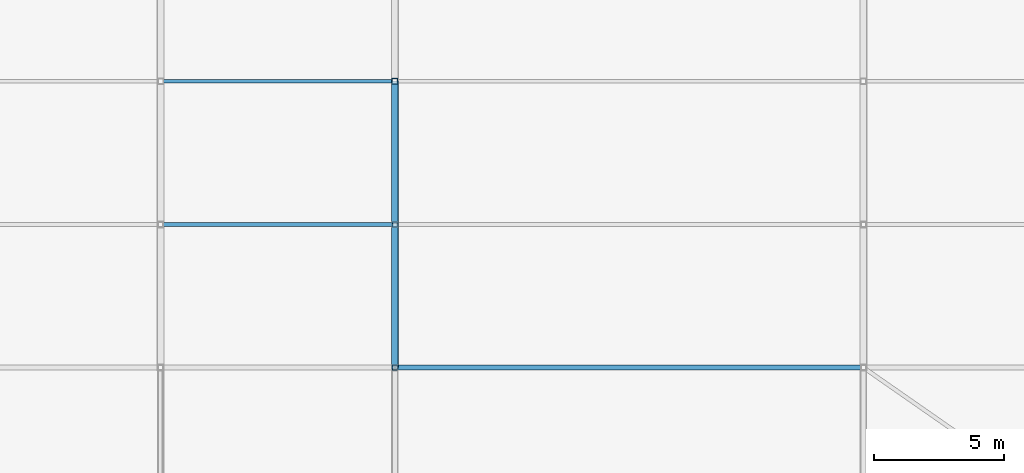
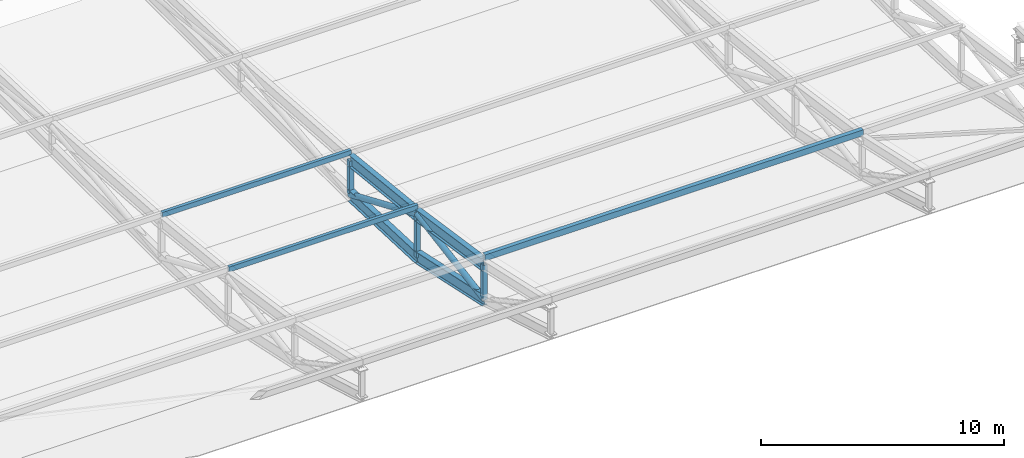
# One storey, part 60 of 114: 8 members, 4 beams.
"""IFC4 building model written with IfcOpenShell, lengths in metres."""

from ifc_helpers import new_model, si_unit, direction, frame, origin, origin_2d, place, context, subcontext, project, spatial, hollow_rectangle, hollow_circle, i_section, extrude, material, material_profile, profile_set, type_object, element, save


model = new_model("IFC4")

# Units and contexts
model_context = context("Model", 3, precision=1e-05, world=origin(), true_north=direction((0.0, 1.0)))
body_context = subcontext(model_context, "Body", "Model", "MODEL_VIEW")
ifc_project = project(units=[si_unit("LENGTHUNIT", "METRE"), si_unit("AREAUNIT", "SQUARE_METRE"), si_unit("VOLUMEUNIT", "CUBIC_METRE"), si_unit("PLANEANGLEUNIT", "RADIAN"), si_unit("MASSUNIT", "GRAM", prefix="KILO"), si_unit("THERMODYNAMICTEMPERATUREUNIT", "KELVIN"), si_unit("POWERUNIT", "WATT")], contexts=[model_context])

# Site, building, storey
site_placement = place(None, origin())
site = spatial("IfcSite", under=ifc_project, at=site_placement, CompositionType="ELEMENT")
building_placement = place(site_placement, origin())
building = spatial("IfcBuilding", under=site, at=building_placement, Name="Sindhuravela Promenade Stadium", CompositionType="ELEMENT")
storey_placement = place(building_placement, frame((0.0, 0.0, 24.0)))
storey = spatial("IfcBuildingStorey", under=building, at=storey_placement, Name="L05", CompositionType="ELEMENT", Elevation=24.0)

# Beams
ifc_material = material(Name="Steel E350 (IS 2062 E350BR)", Category="steel")
ifc_material_profile_1 = material_profile(ifc_material, i_section(OverallWidth=0.25, OverallDepth=0.60009765625, WebThickness=0.01171875, FlangeThickness=0.023681640625, FilletRadius=0.01708984375, at=origin_2d()), Name="ISWB 600")
ifc_profile_set_1 = profile_set([ifc_material_profile_1], Name="Steel E350 (IS 2062 E350BR)")
beam_type = type_object("IfcBeamType", Name="ST-BM-WB600", PredefinedType="USERDEFINED", material=ifc_profile_set_1)
beam_1_placement = place(storey_placement, frame((135.0, 135.0, 1.76318359375), z_axis=(0.0, -0.9943078180575428, 0.1065455909441987), x_axis=(1.0, 0.0, 0.0)))
element("IfcBeam", 1, at=beam_1_placement, inside=storey, type_object=beam_type, Name="Roof truss RT-N07 top chord 3", ObjectType="ROOF TRUSS", PredefinedType="USERDEFINED", context=body_context, shape_type="SweptSolid", body=[
    extrude(i_section(OverallWidth=0.25, OverallDepth=0.60009765625, WebThickness=0.01171875, FlangeThickness=0.023681640625, FilletRadius=0.01708984375, at=origin_2d()), origin(), (0.0, 0.0, 1.0), 5.531494140625),
])
beam_2_placement = place(storey_placement, frame((135.0, 135.0, 0.0), z_axis=(0.0, -0.9991453279387894, 0.04133538022189949), x_axis=(1.0, 0.0, 0.0)))
element("IfcBeam", 2, at=beam_2_placement, inside=storey, type_object=beam_type, Name="Roof truss RT-N07 bottom chord 3", ObjectType="ROOF TRUSS", PredefinedType="USERDEFINED", context=body_context, shape_type="SweptSolid", body=[
    extrude(i_section(OverallWidth=0.25, OverallDepth=0.60009765625, WebThickness=0.01171875, FlangeThickness=0.023681640625, FilletRadius=0.01708984375, at=origin_2d()), origin(), (0.0, 0.0, 1.0), 5.504638671875),
])
beam_3_placement = place(storey_placement, frame((135.0, 129.5, 2.3525390625), z_axis=(0.0, -0.9891555530237203, 0.14687168523012892), x_axis=(1.0, 0.0, 0.0)))
element("IfcBeam", 3, at=beam_3_placement, inside=storey, type_object=beam_type, Name="Roof truss RT-N07 top chord 4", ObjectType="ROOF TRUSS", PredefinedType="USERDEFINED", context=body_context, shape_type="SweptSolid", body=[
    extrude(i_section(OverallWidth=0.25, OverallDepth=0.60009765625, WebThickness=0.01171875, FlangeThickness=0.023681640625, FilletRadius=0.01708984375, at=origin_2d()), origin(), (0.0, 0.0, 1.0), 5.560302734375),
])
beam_4_placement = place(storey_placement, frame((135.0, 129.5, 0.2275390625), z_axis=(0.0, -0.9773237385626684, 0.21175058451368894), x_axis=(1.0, 0.0, 0.0)))
element("IfcBeam", 4, at=beam_4_placement, inside=storey, type_object=beam_type, Name="Roof truss RT-N07 bottom chord 4", ObjectType="ROOF TRUSS", PredefinedType="USERDEFINED", context=body_context, shape_type="SweptSolid", body=[
    extrude(i_section(OverallWidth=0.25, OverallDepth=0.60009765625, WebThickness=0.01171875, FlangeThickness=0.023681640625, FilletRadius=0.01708984375, at=origin_2d()), origin(), (0.0, 0.0, 1.0), 5.627685546875),
])

# Members
ifc_material_profile_2 = material_profile(ifc_material, hollow_circle(Radius=0.136474609375, WallThickness=0.010009765625, at=origin_2d()), Name="CHS 273.0x10")
ifc_profile_set_2 = profile_set([ifc_material_profile_2], Name="Steel E350 (IS 2062 E350BR)")
member_type_1 = type_object("IfcMemberType", Name="ST-MB-CHS273", PredefinedType="BRACE", material=ifc_profile_set_2)
member_1_placement = place(storey_placement, frame((135.0, 135.0, 0.0), z_axis=(0.0, -0.9194234507496676, 0.3932690150667524), x_axis=(1.0, 0.0, 0.0)))
element("IfcMember", 5, at=member_1_placement, inside=storey, type_object=member_type_1, Name="Roof truss RT-N07 diagonal web 3", PredefinedType="BRACE", context=body_context, shape_type="SweptSolid", body=[
    extrude(hollow_circle(Radius=0.136474609375, WallThickness=0.010009765625, at=origin_2d()), origin(), (0.0, 0.0, 1.0), 5.98193359375),
])
member_2_placement = place(storey_placement, frame((135.0, 129.5, 2.3525390625), z_axis=(0.0, -0.9859046851385784, -0.1673079550463772), x_axis=(1.0, 0.0, 0.0)))
element("IfcMember", 6, at=member_2_placement, inside=storey, type_object=member_type_1, Name="Roof truss RT-N07 diagonal web 4", PredefinedType="BRACE", context=body_context, shape_type="SweptSolid", body=[
    extrude(hollow_circle(Radius=0.136474609375, WallThickness=0.010009765625, at=origin_2d()), origin(), (0.0, 0.0, 1.0), 5.57861328125),
])
ifc_material_profile_3 = material_profile(ifc_material, hollow_rectangle(XDim=0.14990234375, YDim=0.25, WallThickness=0.010009765625, at=origin_2d()), Name="RHS 250x150x10")
ifc_profile_set_3 = profile_set([ifc_material_profile_3], Name="Steel E350 (IS 2062 E350BR)")
member_type_2 = type_object("IfcMemberType", Name="ST-MB-RHS250", PredefinedType="PURLIN", material=ifc_profile_set_3)
for number, where, z_axis, x_axis, name in (
    (7, (126.0, 135.0, 2.1552734375), (1.0, 0.0, 0.0), (0.0, 1.0, 0.0), "Roof purlin PR01 N bay 6.3"),
    (8, (126.0, 129.5, 2.744384765625), (1.0, 0.0, 0.0), (0.0, 1.0, 0.0), "Roof purlin PR01 N bay 6.4"),
):
    element("IfcMember", number, at=place(storey_placement, frame(where, z_axis=z_axis, x_axis=x_axis)), inside=storey, type_object=member_type_2, Name=name, PredefinedType="PURLIN", context=body_context, shape_type="SweptSolid", body=[
        extrude(hollow_rectangle(XDim=0.14990234375, YDim=0.25, WallThickness=0.010009765625, at=origin_2d()), origin(), (0.0, 0.0, 1.0), 9.0),
    ])
ifc_material_profile_4 = material_profile(ifc_material, hollow_rectangle(XDim=0.199951171875, YDim=0.300048828125, WallThickness=0.010009765625, at=origin_2d()), Name="RHS 300x200x10")
ifc_profile_set_4 = profile_set([ifc_material_profile_4], Name="Steel E350 (IS 2062 E350BR)")
member_type_3 = type_object("IfcMemberType", Name="ST-MB-RHS300", PredefinedType="PURLIN", material=ifc_profile_set_4)
member_3_placement = place(storey_placement, frame((135.0, 124.0, 3.5361328125), z_axis=(1.0, 0.0, 0.0), x_axis=(0.0, 1.0, 0.0)))
element("IfcMember", 9, at=member_3_placement, inside=storey, type_object=member_type_3, Name="Roof purlin PR02 N bay 7.5", PredefinedType="PURLIN", context=body_context, shape_type="SweptSolid", body=[
    extrude(hollow_rectangle(XDim=0.199951171875, YDim=0.300048828125, WallThickness=0.010009765625, at=origin_2d()), origin(), (0.0, 0.0, 1.0), 18.0),
])
ifc_material_profile_5 = material_profile(ifc_material, hollow_rectangle(XDim=0.199951171875, YDim=0.199951171875, WallThickness=0.010009765625, at=origin_2d()), Name="SHS 200x200x10")
ifc_profile_set_5 = profile_set([ifc_material_profile_5], Name="Steel E350 (IS 2062 E350BR)")
member_type_4 = type_object("IfcMemberType", Name="ST-MB-SHS200", PredefinedType="POST", material=ifc_profile_set_5)
member_4_placement = place(storey_placement, frame((135.0, 129.5, 0.2275390625), z_axis=(0.0, 0.0, 1.0), x_axis=(1.0, 0.0, 0.0)))
element("IfcMember", 10, at=member_4_placement, inside=storey, type_object=member_type_4, Name="Roof truss RT-N07 vertical post 4", PredefinedType="POST", context=body_context, shape_type="SweptSolid", body=[
    extrude(hollow_rectangle(XDim=0.199951171875, YDim=0.199951171875, WallThickness=0.010009765625, at=origin_2d()), origin(), (0.0, 0.0, 1.0), 2.125),
])
member_5_placement = place(storey_placement, frame((135.0, 124.0, 1.419189453125), z_axis=(0.0, 0.0, 1.0), x_axis=(1.0, 0.0, 0.0)))
element("IfcMember", 11, at=member_5_placement, inside=storey, type_object=member_type_4, Name="Roof truss RT-N07 vertical post 5", PredefinedType="POST", context=body_context, shape_type="SweptSolid", body=[
    extrude(hollow_rectangle(XDim=0.199951171875, YDim=0.199951171875, WallThickness=0.010009765625, at=origin_2d()), origin(), (0.0, 0.0, 1.0), 1.75),
])
ifc_material_profile_6 = material_profile(ifc_material, hollow_rectangle(XDim=0.219970703125, YDim=0.219970703125, WallThickness=0.011962890625, at=origin_2d()), Name="SHS 220x220x12")
ifc_profile_set_6 = profile_set([ifc_material_profile_6], Name="Steel E350 (IS 2062 E350BR)")
member_type_5 = type_object("IfcMemberType", Name="ST-MB-SHS220", PredefinedType="POST", material=ifc_profile_set_6)
member_6_placement = place(storey_placement, frame((135.0, 135.0, 0.0), z_axis=(0.0, 0.0, 1.0), x_axis=(1.0, 0.0, 0.0)))
element("IfcMember", 12, at=member_6_placement, inside=storey, type_object=member_type_5, Name="Roof truss RT-N07 vertical post 3", PredefinedType="POST", context=body_context, shape_type="SweptSolid", body=[
    extrude(hollow_rectangle(XDim=0.219970703125, YDim=0.219970703125, WallThickness=0.011962890625, at=origin_2d()), origin(), (0.0, 0.0, 1.0), 1.76318359375),
])

save(model, "model.ifc")
